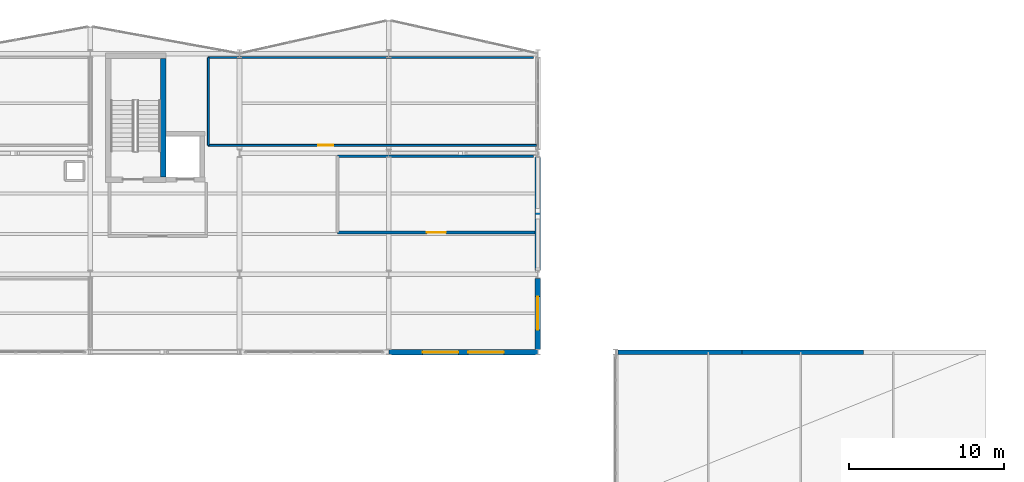
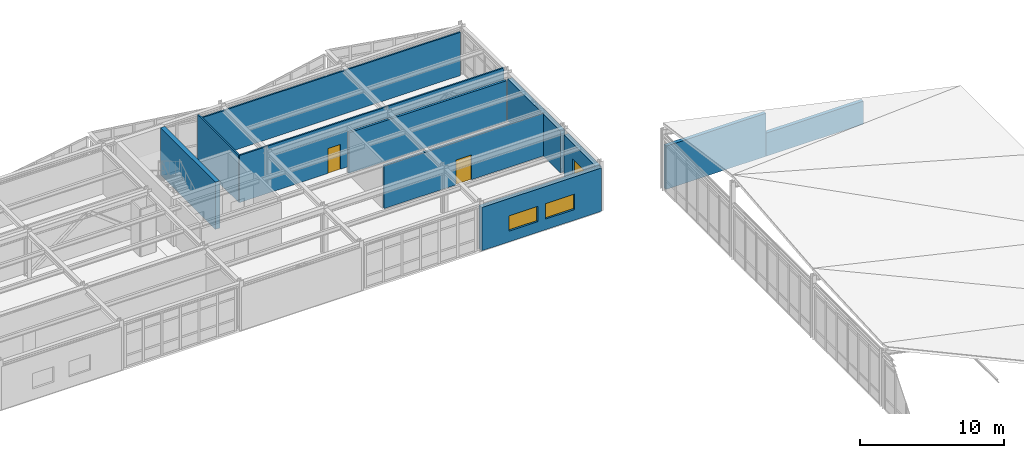
# One storey, part 58 of 64: 11 walls, 3 windows, 2 doors, 5 openings.
"""IFC4 building model written with IfcOpenShell, lengths in metres."""

from ifc_helpers import new_model, si_unit, direction, frame, frame_2d, origin, place, context, subcontext, project, spatial, rectangle, extrude, material, layer, layer_set, type_object, element, fill, save


model = new_model("IFC4")

# Units and contexts
model_context = context("Model", 3, precision=1e-05, world=origin(), true_north=direction((0.0, 1.0)))
body_context = subcontext(model_context, "Body", "Model", "MODEL_VIEW")
ifc_project = project(units=[si_unit("LENGTHUNIT", "METRE"), si_unit("AREAUNIT", "SQUARE_METRE"), si_unit("VOLUMEUNIT", "CUBIC_METRE"), si_unit("PLANEANGLEUNIT", "RADIAN"), si_unit("MASSUNIT", "GRAM", prefix="KILO")], contexts=[model_context])

# Site, building, storey
site_placement = place(None, origin())
site = spatial("IfcSite", under=ifc_project, at=site_placement, CompositionType="ELEMENT")
building_placement = place(site_placement, origin())
building = spatial("IfcBuilding", under=site, at=building_placement, Name="Nordkorset Police Headquarters", CompositionType="ELEMENT")
storey_placement = place(building_placement, frame((0.0, 0.0, 17.85009765625)))
storey = spatial("IfcBuildingStorey", under=building, at=storey_placement, Name="L04", CompositionType="ELEMENT", Elevation=17.85009765625)

# Wall, opening, door
ifc_material_1 = material(Name="Gypsum board", Category="gypsum")
ifc_layer_1 = layer(ifc_material_1, 0.179931640625, Name="Gypsum board")
ifc_layer_set_1 = layer_set([ifc_layer_1], Name="Gypsum board")
wall_type_1 = type_object("IfcWallType", Name="Wall_Comp_180", PredefinedType="PARTITIONING", material=ifc_layer_set_1)
wall_1_placement = place(storey_placement, frame((73.5, 105.300048828125, 0.0), z_axis=(0.0, 0.0, 1.0), x_axis=(1.0, 0.0, 0.0)))
wall_1 = element("IfcWall", 1, at=wall_1_placement, inside=storey, type_object=wall_type_1, Name="Interior Partition Wall Active Case Dossier Registry", PredefinedType="PARTITIONING", context=body_context, shape_type="SweptSolid", body=[
    extrude(rectangle(XDim=12.72509765625, YDim=0.179931640625, at=frame_2d((6.362548828125, 0.0))), origin(), (0.0, 0.0, 1.0), 3.60986328125),
])
opening_1_placement = place(wall_1_placement, frame((5.75244140625, 0.0, 0.0)))
opening_1 = element("IfcOpeningElement", 2, at=opening_1_placement, cuts=wall_1, Name="Opening DR-13", PredefinedType="OPENING", context=body_context, shape_type="SweptSolid", body=[
    extrude(rectangle(XDim=1.219970703125, YDim=2.10009765625, at=frame_2d((0.60986328125, 1.050048828125))), frame((0.0, 0.10009765625, 0.0), z_axis=(0.0, -1.0, 0.0), x_axis=(1.0, 0.0, 0.0)), (0.0, 0.0, 1.0), 0.199951171875),
])
ifc_material_2 = material(Name="Steel S355J2", Category="steel")
door_type_1 = type_object("IfcDoorType", Name="Door_FireComp_1220x2100", OperationType="NOTDEFINED", PredefinedType="DOOR", material=ifc_material_2)
door_1_placement = place(opening_1_placement, frame((1.219970703125, 0.0, 0.0), z_axis=(0.0, 0.0, 1.0), x_axis=(-1.0, 0.0, 0.0)))
door_1 = element("IfcDoor", 3, at=door_1_placement, inside=storey, type_object=door_type_1, Name="Interior Door Active Case Dossier Registry", OperationType="SINGLE_SWING_RIGHT", OverallHeight=2.10009765625, OverallWidth=1.219970703125, PredefinedType="DOOR", context=body_context, shape_type="SweptSolid", body=[
    extrude(rectangle(XDim=1.219970703125, YDim=2.10009765625, at=frame_2d((0.60986328125, 1.050048828125))), frame((0.0, 0.02490234375, 0.0), z_axis=(0.0, -1.0, 0.0), x_axis=(1.0, 0.0, 0.0)), (0.0, 0.0, 1.0), 0.050048828125),
])
fill(opening_1, door_1)

# Walls
wall_2_placement = place(storey_placement, frame((86.10009765625, 110.199951171875, 0.0), z_axis=(0.0, 0.0, 1.0), x_axis=(-1.0, 0.0, 0.0)))
element("IfcWall", 4, at=wall_2_placement, inside=storey, type_object=wall_type_1, Name="Interior Partition Wall Active Case Dossier Registry", PredefinedType="PARTITIONING", context=body_context, shape_type="SweptSolid", body=[
    extrude(rectangle(XDim=12.60009765625, YDim=0.179931640625, at=frame_2d((6.300048828125, 0.0))), origin(), (0.0, 0.0, 1.0), 3.429931640625),
])
ifc_material_3 = material(Name="Concrete C35/45", Category="concrete")
ifc_layer_2 = layer(ifc_material_3, 0.35009765625, Name="Concrete C35/45")
ifc_layer_set_2 = layer_set([ifc_layer_2], Name="Concrete C35/45")
wall_type_2 = type_object("IfcWallType", Name="Wall_CoreShear_350", PredefinedType="SHEAR", material=ifc_layer_set_2)
wall_3_placement = place(storey_placement, frame((62.300048828125, 108.875, 0.0), z_axis=(0.0, 0.0, 1.0), x_axis=(0.0, 1.0, 0.0)))
element("IfcWall", 5, at=wall_3_placement, inside=storey, type_object=wall_type_2, Name="Core K2 Stair Shaft East Shear Wall L04", PredefinedType="SHEAR", context=body_context, shape_type="SweptSolid", body=[
    extrude(rectangle(XDim=7.60009765625, YDim=0.35009765625, at=frame_2d((3.800048828125, 0.0))), origin(), (0.0, 0.0, 1.0), 3.989990234375),
])

# Wall, openings, windows
ifc_material_4 = material(Name="Precast concrete C40/50", Category="concrete")
ifc_layer_3 = layer(ifc_material_4, 0.360107421875, Name="Precast concrete C40/50")
ifc_layer_set_3 = layer_set([ifc_layer_3], Name="Precast concrete C40/50")
wall_type_3 = type_object("IfcWallType", Name="Wall_ExtPrecast_360", PredefinedType="SOLIDWALL", material=ifc_layer_set_3)
wall_4_placement = place(storey_placement, frame((76.80810546875, 97.60009765625, 0.0), z_axis=(0.0, 0.0, 1.0), x_axis=(1.0, 0.0, 0.0)))
wall_4 = element("IfcWall", 6, at=wall_4_placement, inside=storey, type_object=wall_type_3, Name="Exterior Insulated Precast Wall L04 V2S-5", PredefinedType="SOLIDWALL", context=body_context, shape_type="SweptSolid", body=[
    extrude(rectangle(XDim=9.583984375, YDim=0.360107421875, at=frame_2d((4.7919921875, 0.0))), origin(), (0.0, 0.0, 1.0), 3.65478515625),
])
opening_2_placement = place(wall_4_placement, frame((2.17529296875, 0.0, 0.89990234375)))
opening_2 = element("IfcOpeningElement", 7, at=opening_2_placement, cuts=wall_4, Name="Opening WN-32", PredefinedType="OPENING", context=body_context, shape_type="SweptSolid", body=[
    extrude(rectangle(XDim=2.300048828125, YDim=1.300048828125, at=frame_2d((1.14990234375, 0.64990234375))), frame((0.0, 0.18994140625, 0.0), z_axis=(0.0, -1.0, 0.0), x_axis=(1.0, 0.0, 0.0)), (0.0, 0.0, 1.0), 0.380126953125),
])
opening_3_placement = place(wall_4_placement, frame((5.108642578125, 0.0, 0.89990234375)))
opening_3 = element("IfcOpeningElement", 8, at=opening_3_placement, cuts=wall_4, Name="Opening WN-32", PredefinedType="OPENING", context=body_context, shape_type="SweptSolid", body=[
    extrude(rectangle(XDim=2.300048828125, YDim=1.300048828125, at=frame_2d((1.14990234375, 0.64990234375))), frame((0.0, 0.18994140625, 0.0), z_axis=(0.0, -1.0, 0.0), x_axis=(1.0, 0.0, 0.0)), (0.0, 0.0, 1.0), 0.380126953125),
])
ifc_material_5 = material(Name="Low-iron triple glazing", Category="glass")
window_type_1 = type_object("IfcWindowType", Name="Win_2300x1300", PartitioningType="SINGLE_PANEL", PredefinedType="WINDOW", material=ifc_material_5)
window_1_placement = place(opening_2_placement, origin())
window_1 = element("IfcWindow", 9, at=window_1_placement, inside=storey, type_object=window_type_1, Name="Triple-Glazed Exterior Window L04 V2S-5-1", OverallHeight=1.300048828125, OverallWidth=2.300048828125, PartitioningType="SINGLE_PANEL", PredefinedType="WINDOW", context=body_context, shape_type="SweptSolid", body=[
    extrude(rectangle(XDim=2.300048828125, YDim=1.300048828125, at=frame_2d((1.14990234375, 0.64990234375))), frame((0.0, 0.030029296875, 0.0), z_axis=(0.0, -1.0, 0.0), x_axis=(1.0, 0.0, 0.0)), (0.0, 0.0, 1.0), 0.06005859375),
])
fill(opening_2, window_1)
window_2_placement = place(opening_3_placement, origin())
window_2 = element("IfcWindow", 10, at=window_2_placement, inside=storey, type_object=window_type_1, Name="Triple-Glazed Exterior Window L04 V2S-5-2", OverallHeight=1.300048828125, OverallWidth=2.300048828125, PartitioningType="SINGLE_PANEL", PredefinedType="WINDOW", context=body_context, shape_type="SweptSolid", body=[
    extrude(rectangle(XDim=2.300048828125, YDim=1.300048828125, at=frame_2d((1.14990234375, 0.64990234375))), frame((0.0, 0.030029296875, 0.0), z_axis=(0.0, -1.0, 0.0), x_axis=(1.0, 0.0, 0.0)), (0.0, 0.0, 1.0), 0.06005859375),
])
fill(opening_3, window_2)

# Wall, opening, window
wall_5_placement = place(storey_placement, frame((86.39990234375, 97.77197265625, 0.0), z_axis=(0.0, 0.0, 1.0), x_axis=(0.0, 1.0, 0.0)))
wall_5 = element("IfcWall", 11, at=wall_5_placement, inside=storey, type_object=wall_type_3, Name="Exterior Insulated Precast Wall L04 V2E-0A", PredefinedType="SOLIDWALL", context=body_context, shape_type="SweptSolid", body=[
    extrude(rectangle(XDim=4.575927734375, YDim=0.360107421875, at=frame_2d((2.2880859375, 0.0))), origin(), (0.0, 0.0, 1.0), 3.52490234375),
])
opening_4_placement = place(wall_5_placement, frame((1.2529296875, 0.0, 0.89990234375)))
opening_4 = element("IfcOpeningElement", 12, at=opening_4_placement, cuts=wall_5, Name="Opening WN-52", PredefinedType="OPENING", context=body_context, shape_type="SweptSolid", body=[
    extrude(rectangle(XDim=2.14990234375, YDim=1.300048828125, at=frame_2d((1.074951171875, 0.64990234375))), frame((0.0, 0.18994140625, 0.0), z_axis=(0.0, -1.0, 0.0), x_axis=(1.0, 0.0, 0.0)), (0.0, 0.0, 1.0), 0.380126953125),
])
ifc_material_6 = material(Name="Low-iron triple glazing", Category="glass")
window_type_2 = type_object("IfcWindowType", Name="Win_2150x1300", PartitioningType="SINGLE_PANEL", PredefinedType="WINDOW", material=ifc_material_6)
window_3_placement = place(opening_4_placement, origin())
window_3 = element("IfcWindow", 13, at=window_3_placement, inside=storey, type_object=window_type_2, Name="Triple-Glazed Exterior Window L04 V2E-0A-1", OverallHeight=1.300048828125, OverallWidth=2.14990234375, PartitioningType="SINGLE_PANEL", PredefinedType="WINDOW", context=body_context, shape_type="SweptSolid", body=[
    extrude(rectangle(XDim=2.14990234375, YDim=1.300048828125, at=frame_2d((1.074951171875, 0.64990234375))), frame((0.0, 0.030029296875, 0.0), z_axis=(0.0, -1.0, 0.0), x_axis=(1.0, 0.0, 0.0)), (0.0, 0.0, 1.0), 0.06005859375),
])
fill(opening_4, window_3)

# Walls
wall_6_placement = place(storey_placement, frame((86.39990234375, 102.85205078125, 0.0), z_axis=(0.0, 0.0, 1.0), x_axis=(0.0, 1.0, 0.0)))
element("IfcWall", 14, at=wall_6_placement, inside=storey, type_object=wall_type_3, Name="Exterior Insulated Precast Wall L04 V2E-0B", PredefinedType="SOLIDWALL", context=body_context, shape_type="SweptSolid", body=[
    extrude(rectangle(XDim=7.2958984375, YDim=0.360107421875, at=frame_2d((3.64794921875, 0.0))), origin(), (0.0, 0.0, 1.0), 3.52978515625),
])
ifc_material_7 = material(Name="Precast concrete C40/50", Category="concrete")
ifc_layer_4 = layer(ifc_material_7, 0.280029296875, Name="Precast concrete C40/50")
ifc_layer_set_4 = layer_set([ifc_layer_4], Name="Precast concrete C40/50")
wall_type_4 = type_object("IfcWallType", Name="Wall_ExtSpandrel_280", PredefinedType="SOLIDWALL", material=ifc_layer_set_4)
wall_7_placement = place(storey_placement, frame((91.550048828125, 97.60009765625, 0.0), z_axis=(0.0, 0.0, 1.0), x_axis=(1.0, 0.0, 0.0)))
element("IfcWall", 15, at=wall_7_placement, inside=storey, type_object=wall_type_4, Name="Exterior Insulated Precast Wall L04 V5MS-N-0", PredefinedType="SOLIDWALL", context=body_context, shape_type="SweptSolid", body=[
    extrude(rectangle(XDim=7.989990234375, YDim=0.280029296875, at=frame_2d((3.9951171875, 0.0))), origin(), (0.0, 0.0, 1.0), 3.64990234375),
])
wall_8_placement = place(storey_placement, frame((99.360107421875, 97.60009765625, 0.0), z_axis=(0.0, 0.0, 1.0), x_axis=(1.0, 0.0, 0.0)))
element("IfcWall", 16, at=wall_8_placement, inside=storey, type_object=wall_type_4, Name="Exterior Insulated Precast Wall L04 V5MS-N-1", PredefinedType="SOLIDWALL", context=body_context, shape_type="SweptSolid", body=[
    extrude(rectangle(XDim=7.97998046875, YDim=0.280029296875, at=frame_2d((3.989990234375, 0.0))), origin(), (0.0, 0.0, 1.0), 1.949951171875),
])

# Wall, opening, door
ifc_material_8 = material(Name="Gypsum board", Category="gypsum")
ifc_layer_5 = layer(ifc_material_8, 0.1201171875, Name="Gypsum board")
ifc_layer_set_5 = layer_set([ifc_layer_5], Name="Gypsum board")
wall_type_5 = type_object("IfcWallType", Name="Wall_Part_120", PredefinedType="PARTITIONING", material=ifc_layer_set_5)
wall_9_placement = place(storey_placement, frame((65.199951171875, 110.89990234375, 0.0), z_axis=(0.0, 0.0, 1.0), x_axis=(1.0, 0.0, 0.0)))
wall_9 = element("IfcWall", 17, at=wall_9_placement, inside=storey, type_object=wall_type_5, Name="Interior Partition Wall Nordic Cross-Border Liaison Office", PredefinedType="PARTITIONING", context=body_context, shape_type="SweptSolid", body=[
    extrude(rectangle(XDim=21.114990234375, YDim=0.1201171875, at=frame_2d((10.5576171875, 0.0))), origin(), (0.0, 0.0, 1.0), 3.989990234375),
])
opening_5_placement = place(wall_9_placement, frame((7.0673828125, 0.0, 0.0)))
opening_5 = element("IfcOpeningElement", 18, at=opening_5_placement, cuts=wall_9, Name="Opening DR-18", PredefinedType="OPENING", context=body_context, shape_type="SweptSolid", body=[
    extrude(rectangle(XDim=0.97998046875, YDim=2.10009765625, at=frame_2d((0.489990234375, 1.050048828125))), frame((0.0, 0.070068359375, 0.0), z_axis=(0.0, -1.0, 0.0), x_axis=(1.0, 0.0, 0.0)), (0.0, 0.0, 1.0), 0.14013671875),
])
ifc_material_9 = material(Name="Glulam GL30c", Category="wood")
door_type_2 = type_object("IfcDoorType", Name="Door_Office_980x2100", OperationType="NOTDEFINED", PredefinedType="DOOR", material=ifc_material_9)
door_2_placement = place(opening_5_placement, frame((0.97998046875, 0.0, 0.0), z_axis=(0.0, 0.0, 1.0), x_axis=(-1.0, 0.0, 0.0)))
door_2 = element("IfcDoor", 19, at=door_2_placement, inside=storey, type_object=door_type_2, Name="Interior Door Nordic Cross-Border Liaison Office", OperationType="SINGLE_SWING_RIGHT", OverallHeight=2.10009765625, OverallWidth=0.97998046875, PredefinedType="DOOR", context=body_context, shape_type="SweptSolid", body=[
    extrude(rectangle(XDim=0.97998046875, YDim=2.10009765625, at=frame_2d((0.489990234375, 1.050048828125))), frame((0.0, 0.02490234375, 0.0), z_axis=(0.0, -1.0, 0.0), x_axis=(1.0, 0.0, 0.0)), (0.0, 0.0, 1.0), 0.050048828125),
])
fill(opening_5, door_2)

# Walls
wall_10_placement = place(storey_placement, frame((86.10009765625, 116.550048828125, 0.0), z_axis=(0.0, 0.0, 1.0), x_axis=(-1.0, 0.0, 0.0)))
element("IfcWall", 20, at=wall_10_placement, inside=storey, type_object=wall_type_5, Name="Interior Partition Wall Nordic Cross-Border Liaison Office", PredefinedType="PARTITIONING", context=body_context, shape_type="SweptSolid", body=[
    extrude(rectangle(XDim=20.900146484375, YDim=0.1201171875, at=frame_2d((10.4501953125, 0.0))), origin(), (0.0, 0.0, 1.0), 3.659912109375),
])
wall_11_placement = place(storey_placement, frame((65.199951171875, 116.550048828125, 0.0), z_axis=(0.0, 0.0, 1.0), x_axis=(0.0, -1.0, 0.0)))
element("IfcWall", 21, at=wall_11_placement, inside=storey, type_object=wall_type_5, Name="Interior Partition Wall Nordic Cross-Border Liaison Office", PredefinedType="PARTITIONING", context=body_context, shape_type="SweptSolid", body=[
    extrude(rectangle(XDim=5.650146484375, YDim=0.1201171875, at=frame_2d((2.8251953125, 0.0))), origin(), (0.0, 0.0, 1.0), 3.989990234375),
])

save(model, "model.ifc")
